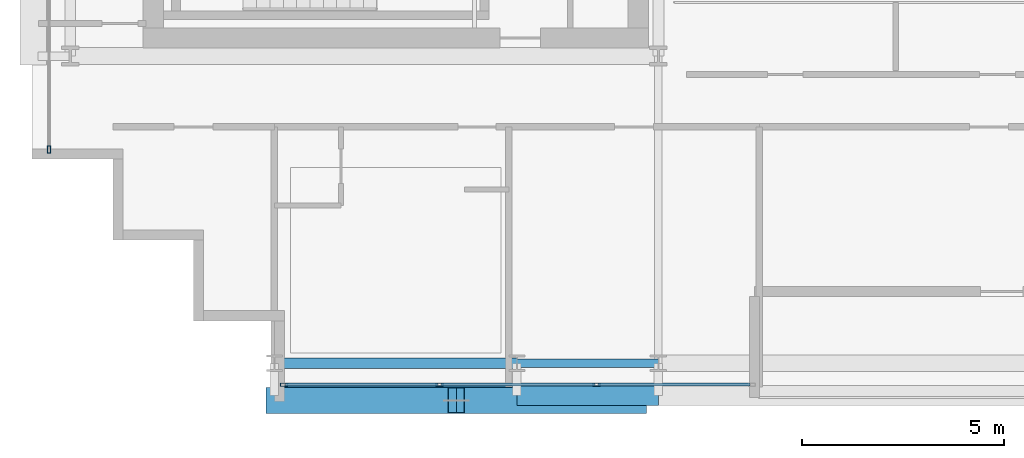
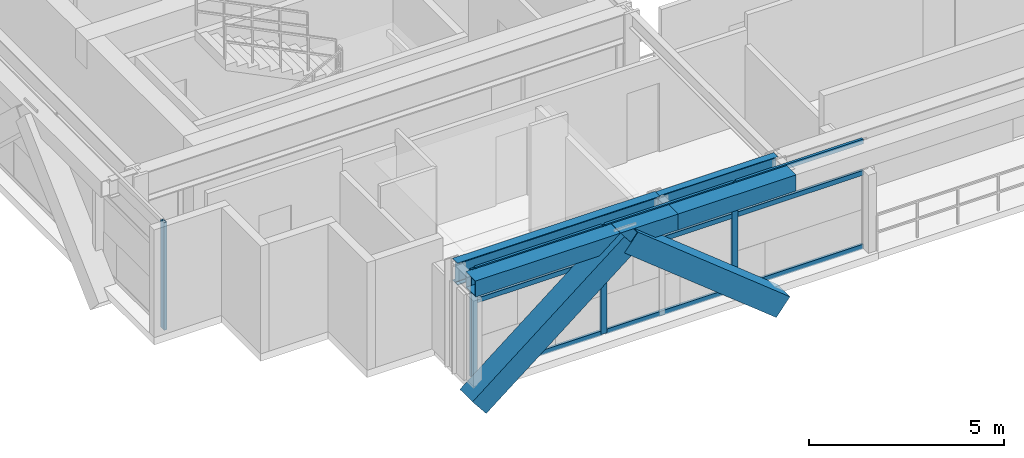
# One storey, part 2 of 31: 15 members, 4 beams, 2 elements without a shape of their own.
"""IFC4 building model written with IfcOpenShell, lengths in metres."""

from ifc_helpers import new_model, si_unit, direction, frame, origin, origin_2d, place, context, subcontext, project, spatial, hollow_rectangle, i_section, extrude, source, transform, mapped, material, layer, layer_set, material_profile, profile_set, type_object, element, aggregate, save


model = new_model("IFC4")

# Units and contexts
model_context = context("Model", 3, precision=1e-05, world=origin(), true_north=direction((0.0, 1.0)))
body_context = subcontext(model_context, "Body", "Model", "MODEL_VIEW")
ifc_project = project(units=[si_unit("LENGTHUNIT", "METRE"), si_unit("AREAUNIT", "SQUARE_METRE"), si_unit("VOLUMEUNIT", "CUBIC_METRE"), si_unit("PLANEANGLEUNIT", "RADIAN"), si_unit("MASSUNIT", "GRAM", prefix="KILO")], contexts=[model_context])

# Site, building, storey
site_placement = place(None, origin())
site = spatial("IfcSite", under=ifc_project, at=site_placement, CompositionType="ELEMENT")
building_placement = place(site_placement, origin())
building = spatial("IfcBuilding", under=site, at=building_placement, Name="Ocotamira Hotel", CompositionType="ELEMENT")
storey_placement = place(building_placement, frame((0.0, 0.0, 188.39990234375)))
storey = spatial("IfcBuildingStorey", under=building, at=storey_placement, Name="L47", CompositionType="ELEMENT", Elevation=188.39990234375)

# Beams
ifc_material_1 = material(Name="Steel ASTM A992 Grade 50", Category="steel")
ifc_material_profile_1 = material_profile(ifc_material_1, i_section(OverallWidth=0.256103515625, OverallDepth=0.693115234375, WebThickness=0.014404296875, FlangeThickness=0.023681640625, FilletRadius=0.01611328125, at=origin_2d()), Name="W27X114")
ifc_profile_set_1 = profile_set([ifc_material_profile_1], Name="Steel ASTM A992 Grade 50")
beam_type_1 = type_object("IfcBeamType", Name="BM-PRIM-W27X114", PredefinedType="BEAM", material=ifc_profile_set_1)
shared_shape_1 = source(origin(), body_context, "Body", "SweptSolid", [
    extrude(i_section(OverallWidth=0.256103515625, OverallDepth=0.693115234375, WebThickness=0.014404296875, FlangeThickness=0.023681640625, FilletRadius=0.01611328125, at=origin_2d()), origin(), (0.0, 0.0, 1.0), 6.0),
])
beam_1_placement = place(storey_placement, frame((14.0, 6.949951171875, 3.023681640625), z_axis=(1.0, 0.0, 0.0), x_axis=(0.0, 1.0, 0.0)))
element("IfcBeam", 1, at=beam_1_placement, inside=storey, type_object=beam_type_1, Name="L47 Girder Y6.95 X14-20", PredefinedType="BEAM", context=body_context, shape_type="MappedRepresentation", body=[
    mapped(shared_shape_1, transform((0.0, 0.0, 0.0), scale=1.0)),
])
ifc_material_profile_2 = material_profile(ifc_material_1, i_section(OverallWidth=0.2099609375, OverallDepth=0.537109375, WebThickness=0.010986328125, FlangeThickness=0.017333984375, FilletRadius=0.012939453125, at=origin_2d()), Name="W21X68")
ifc_profile_set_2 = profile_set([ifc_material_profile_2], Name="Steel ASTM A992 Grade 50")
beam_type_2 = type_object("IfcBeamType", Name="BM-SEC-W21X68", PredefinedType="JOIST", material=ifc_profile_set_2)
shared_shape_2 = source(origin(), body_context, "Body", "SweptSolid", [
    extrude(i_section(OverallWidth=0.2099609375, OverallDepth=0.537109375, WebThickness=0.010986328125, FlangeThickness=0.017333984375, FilletRadius=0.012939453125, at=origin_2d()), origin(), (0.0, 0.0, 1.0), 3.5),
])
beam_2_placement = place(storey_placement, frame((20.0, 6.949951171875, 3.1015625), z_axis=(1.0, 0.0, 0.0), x_axis=(0.0, 1.0, 0.0)))
element("IfcBeam", 2, at=beam_2_placement, inside=storey, type_object=beam_type_2, Name="L47 Girder Y6.95 X20-23.5", PredefinedType="JOIST", context=body_context, shape_type="MappedRepresentation", body=[
    mapped(shared_shape_2, transform((0.0, 0.0, 0.0), scale=1.0)),
])
ifc_material_2 = material(Name="Steel ASTM A500 Grade C", Category="steel")
ifc_material_profile_3 = material_profile(ifc_material_2, hollow_rectangle(XDim=0.5, YDim=0.5, WallThickness=0.02001953125, at=origin_2d()), Name="HSS500X500X20")
ifc_profile_set_3 = profile_set([ifc_material_profile_3], Name="Steel ASTM A500 Grade C")
beam_type_3 = type_object("IfcBeamType", Name="BM-SPAN-HSS500", PredefinedType="USERDEFINED", material=ifc_profile_set_3)
shared_shape_3 = source(origin(), body_context, "Body", "SweptSolid", [
    extrude(hollow_rectangle(XDim=0.5, YDim=0.5, WallThickness=0.02001953125, at=origin_2d()), origin(), (0.0, 0.0, 1.0), 6.0),
])
beam_3_placement = place(storey_placement, frame((14.0, 6.14990234375, 3.1201171875), z_axis=(1.0, 0.0, 0.0), x_axis=(0.0, 1.0, 0.0)))
element("IfcBeam", 3, at=beam_3_placement, inside=storey, type_object=beam_type_3, Name="L47 Edge Spandrel S X14-20", ObjectType="SPANDREL", PredefinedType="USERDEFINED", context=body_context, shape_type="MappedRepresentation", body=[
    mapped(shared_shape_3, transform((0.0, 0.0, 0.0), scale=1.0)),
])
shared_shape_4 = source(origin(), body_context, "Body", "SweptSolid", [
    extrude(hollow_rectangle(XDim=0.5, YDim=0.5, WallThickness=0.02001953125, at=origin_2d()), origin(), (0.0, 0.0, 1.0), 3.5),
])
beam_4_placement = place(storey_placement, frame((20.0, 6.14990234375, 3.1201171875), z_axis=(1.0, 0.0, 0.0), x_axis=(0.0, 1.0, 0.0)))
element("IfcBeam", 4, at=beam_4_placement, inside=storey, type_object=beam_type_3, Name="L47 Edge Spandrel S X20-23.5", ObjectType="SPANDREL", PredefinedType="USERDEFINED", context=body_context, shape_type="MappedRepresentation", body=[
    mapped(shared_shape_4, transform((0.0, 0.0, 0.0), scale=1.0)),
])

# Members
ifc_material_3 = material(Name="Pale-metal coated steel ASTM A913 Grade 65", Category="steel")
ifc_material_profile_4 = material_profile(ifc_material_3, hollow_rectangle(XDim=0.64990234375, YDim=0.64990234375, WallThickness=0.02197265625, at=origin_2d()), Name="BOX650X650X22")
ifc_profile_set_4 = profile_set([ifc_material_profile_4], Name="Pale-metal coated steel ASTM A913 Grade 65")
member_type_1 = type_object("IfcMemberType", Name="MEM-EXO-BOX650", PredefinedType="BRACE", material=ifc_profile_set_4)
shared_shape_5 = source(origin(), body_context, "Body", "SweptSolid", [
    extrude(hollow_rectangle(XDim=0.64990234375, YDim=0.64990234375, WallThickness=0.02197265625, at=origin_2d()), origin(), (0.0, 0.0, 1.0), 5.762939453125),
])
for number, where, z_axis, x_axis, name in (
    (5, (14.0, 6.030029296875, -0.47998046875), (0.780860543151, 0.0, 0.624705380279), (0.0, 1.0, 0.0), "L47 Exoskeleton Diagrid S0.1"),
    (6, (23.0, 6.030029296875, -0.47998046875), (-0.780860543151, 0.0, 0.624705380279), (0.0, -1.0, 0.0), "L47 Exoskeleton Diagrid S0.2"),
):
    element("IfcMember", number, at=place(storey_placement, frame(where, z_axis=z_axis, x_axis=x_axis)), inside=storey, type_object=member_type_1, Name=name, PredefinedType="BRACE", context=body_context, shape_type="MappedRepresentation", body=[
        mapped(shared_shape_5, transform((0.0, 0.0, 0.0), scale=1.0)),
    ])

# Curtain wall, members
ifc_material_4 = material(Name="Anodised pale-metal aluminium and solar glass", Category="aluminium")
ifc_layer = layer(ifc_material_4, 0.199951171875)
ifc_layer_set = layer_set([ifc_layer], Name="Anodised pale-metal aluminium and solar glass")
curtain_wall_type = type_object("IfcCurtainWallType", Name="CW-SYS4-Z3", PredefinedType="NOTDEFINED", material=ifc_layer_set)
curtain_wall_1_placement = place(storey_placement, origin())
curtain_wall_1 = element("IfcCurtainWall", 7, at=curtain_wall_1_placement, inside=storey, type_object=curtain_wall_type, Name="L47 Curtain Wall CW-4 CW-L47-S1", PredefinedType="NOTDEFINED")
ifc_material_5 = material(Name="Anodised pale-metal aluminium 6063-T6", Category="aluminium")
ifc_material_profile_5 = material_profile(ifc_material_5, hollow_rectangle(XDim=0.080078125, YDim=0.179931640625, WallThickness=0.006103515625, at=origin_2d()), Name="HSS180X80X6")
ifc_profile_set_5 = profile_set([ifc_material_profile_5], Name="Anodised pale-metal aluminium 6063-T6")
member_type_2 = type_object("IfcMemberType", Name="CWM-180X75", PredefinedType="MULLION", material=ifc_profile_set_5)
shared_shape_6 = source(origin(), body_context, "Body", "SweptSolid", [
    extrude(hollow_rectangle(XDim=0.080078125, YDim=0.179931640625, WallThickness=0.006103515625, at=origin_2d()), origin(), (0.0, 0.0, 1.0), 3.3701171875),
])
member_1_placement = place(storey_placement, frame((14.239990234375, 6.419921875, 0.0), z_axis=(0.0, 0.0, 1.0), x_axis=(0.0, 1.0, 0.0)))
member_1 = element("IfcMember", 8, at=member_1_placement, type_object=member_type_2, Name="CW-4 mullion 1", PredefinedType="MULLION", context=body_context, shape_type="MappedRepresentation", body=[
    mapped(shared_shape_6, transform((0.0, 0.0, 0.0), scale=1.0)),
])
member_2_placement = place(storey_placement, frame((18.083251953125, 6.419921875, 0.0), z_axis=(0.0, 0.0, 1.0), x_axis=(0.0, 1.0, 0.0)))
member_2 = element("IfcMember", 9, at=member_2_placement, type_object=member_type_2, Name="CW-4 mullion 2", PredefinedType="MULLION", context=body_context, shape_type="MappedRepresentation", body=[
    mapped(shared_shape_6, transform((0.0, 0.0, 0.0), scale=1.0)),
])
member_3_placement = place(storey_placement, frame((21.966552734375, 6.419921875, 0.0), z_axis=(0.0, 0.0, 1.0), x_axis=(0.0, 1.0, 0.0)))
member_3 = element("IfcMember", 10, at=member_3_placement, type_object=member_type_2, Name="CW-4 mullion 3", PredefinedType="MULLION", context=body_context, shape_type="MappedRepresentation", body=[
    mapped(shared_shape_6, transform((0.0, 0.0, 0.0), scale=1.0)),
])

# Curtain wall, member
curtain_wall_2_placement = place(storey_placement, origin())
curtain_wall_2 = element("IfcCurtainWall", 11, at=curtain_wall_2_placement, inside=storey, type_object=curtain_wall_type, Name="L47 Curtain Wall CW-4 CW-L47-W", PredefinedType="NOTDEFINED")
member_4_placement = place(storey_placement, frame((8.419921875, 12.239990234375, 0.0), z_axis=(0.0, 0.0, 1.0), x_axis=(-1.0, 0.0, 0.0)))
member_4 = element("IfcMember", 12, at=member_4_placement, type_object=member_type_2, Name="CW-4 mullion 1", PredefinedType="MULLION", context=body_context, shape_type="MappedRepresentation", body=[
    mapped(shared_shape_6, transform((0.0, 0.0, 0.0), scale=1.0)),
])
aggregate(curtain_wall_2, [member_4])

# Member
ifc_material_profile_6 = material_profile(ifc_material_5, hollow_rectangle(XDim=0.074951171875, YDim=0.14990234375, WallThickness=0.006103515625, at=origin_2d()), Name="HSS150X75X6")
ifc_profile_set_6 = profile_set([ifc_material_profile_6], Name="Anodised pale-metal aluminium 6063-T6")
member_type_3 = type_object("IfcMemberType", Name="CWT-150X75", PredefinedType="USERDEFINED", material=ifc_profile_set_6)
shared_shape_7 = source(origin(), body_context, "Body", "SweptSolid", [
    extrude(hollow_rectangle(XDim=0.074951171875, YDim=0.14990234375, WallThickness=0.006103515625, at=origin_2d()), origin(), (0.0, 0.0, 1.0), 3.76318359375),
])
member_5_placement = place(storey_placement, frame((14.280029296875, 6.419921875, 0.03759765625), z_axis=(1.0, 0.0, 0.0), x_axis=(0.0, 1.0, 0.0)))
member_5 = element("IfcMember", 13, at=member_5_placement, type_object=member_type_3, Name="CW-4 transom 1.1", ObjectType="TRANSOM", PredefinedType="USERDEFINED", context=body_context, shape_type="MappedRepresentation", body=[
    mapped(shared_shape_7, transform((0.0, 0.0, 0.0), scale=1.0)),
])

member_6_placement = place(storey_placement, frame((14.280029296875, 6.419921875, 2.35009765625), z_axis=(1.0, 0.0, 0.0), x_axis=(0.0, 1.0, 0.0)))
member_6 = element("IfcMember", 14, at=member_6_placement, type_object=member_type_3, Name="CW-4 transom 1.2", ObjectType="TRANSOM", PredefinedType="USERDEFINED", context=body_context, shape_type="MappedRepresentation", body=[
    mapped(shared_shape_7, transform((0.0, 0.0, 0.0), scale=1.0)),
])

member_7_placement = place(storey_placement, frame((14.280029296875, 6.419921875, 3.33251953125), z_axis=(1.0, 0.0, 0.0), x_axis=(0.0, 1.0, 0.0)))
member_7 = element("IfcMember", 15, at=member_7_placement, type_object=member_type_3, Name="CW-4 transom 1.3", ObjectType="TRANSOM", PredefinedType="USERDEFINED", context=body_context, shape_type="MappedRepresentation", body=[
    mapped(shared_shape_7, transform((0.0, 0.0, 0.0), scale=1.0)),
])

shared_shape_8 = source(origin(), body_context, "Body", "SweptSolid", [
    extrude(hollow_rectangle(XDim=0.074951171875, YDim=0.14990234375, WallThickness=0.006103515625, at=origin_2d()), origin(), (0.0, 0.0, 1.0), 3.803466796875),
])
member_8_placement = place(storey_placement, frame((18.123291015625, 6.419921875, 0.03759765625), z_axis=(1.0, 0.0, 0.0), x_axis=(0.0, 1.0, 0.0)))
member_8 = element("IfcMember", 16, at=member_8_placement, type_object=member_type_3, Name="CW-4 transom 2.1", ObjectType="TRANSOM", PredefinedType="USERDEFINED", context=body_context, shape_type="MappedRepresentation", body=[
    mapped(shared_shape_8, transform((0.0, 0.0, 0.0), scale=1.0)),
])

member_9_placement = place(storey_placement, frame((18.123291015625, 6.419921875, 2.35009765625), z_axis=(1.0, 0.0, 0.0), x_axis=(0.0, 1.0, 0.0)))
member_9 = element("IfcMember", 17, at=member_9_placement, type_object=member_type_3, Name="CW-4 transom 2.2", ObjectType="TRANSOM", PredefinedType="USERDEFINED", context=body_context, shape_type="MappedRepresentation", body=[
    mapped(shared_shape_8, transform((0.0, 0.0, 0.0), scale=1.0)),
])

member_10_placement = place(storey_placement, frame((18.123291015625, 6.419921875, 3.33251953125), z_axis=(1.0, 0.0, 0.0), x_axis=(0.0, 1.0, 0.0)))
member_10 = element("IfcMember", 18, at=member_10_placement, type_object=member_type_3, Name="CW-4 transom 2.3", ObjectType="TRANSOM", PredefinedType="USERDEFINED", context=body_context, shape_type="MappedRepresentation", body=[
    mapped(shared_shape_8, transform((0.0, 0.0, 0.0), scale=1.0)),
])

shared_shape_9 = source(origin(), body_context, "Body", "SweptSolid", [
    extrude(hollow_rectangle(XDim=0.074951171875, YDim=0.14990234375, WallThickness=0.006103515625, at=origin_2d()), origin(), (0.0, 0.0, 1.0), 3.763427734375),
])
member_11_placement = place(storey_placement, frame((22.006591796875, 6.419921875, 0.03759765625), z_axis=(1.0, 0.0, 0.0), x_axis=(0.0, 1.0, 0.0)))
member_11 = element("IfcMember", 19, at=member_11_placement, type_object=member_type_3, Name="CW-4 transom 3.1", ObjectType="TRANSOM", PredefinedType="USERDEFINED", context=body_context, shape_type="MappedRepresentation", body=[
    mapped(shared_shape_9, transform((0.0, 0.0, 0.0), scale=1.0)),
])

member_12_placement = place(storey_placement, frame((22.006591796875, 6.419921875, 2.35009765625), z_axis=(1.0, 0.0, 0.0), x_axis=(0.0, 1.0, 0.0)))
member_12 = element("IfcMember", 20, at=member_12_placement, type_object=member_type_3, Name="CW-4 transom 3.2", ObjectType="TRANSOM", PredefinedType="USERDEFINED", context=body_context, shape_type="MappedRepresentation", body=[
    mapped(shared_shape_9, transform((0.0, 0.0, 0.0), scale=1.0)),
])

member_13_placement = place(storey_placement, frame((22.006591796875, 6.419921875, 3.33251953125), z_axis=(1.0, 0.0, 0.0), x_axis=(0.0, 1.0, 0.0)))
member_13 = element("IfcMember", 21, at=member_13_placement, type_object=member_type_3, Name="CW-4 transom 3.3", ObjectType="TRANSOM", PredefinedType="USERDEFINED", context=body_context, shape_type="MappedRepresentation", body=[
    mapped(shared_shape_9, transform((0.0, 0.0, 0.0), scale=1.0)),
])

aggregate(curtain_wall_1, [member_1, member_2, member_3, member_5, member_6, member_7, member_8, member_9, member_10, member_11, member_12, member_13])

save(model, "model.ifc")
